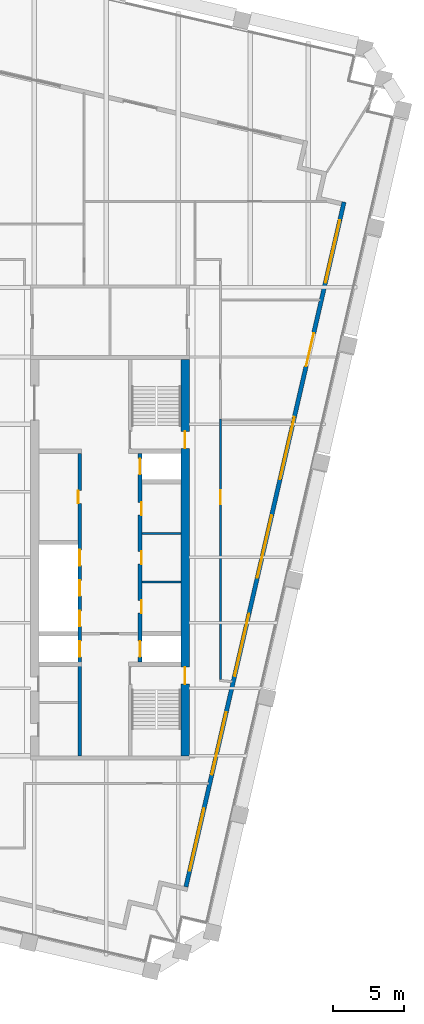
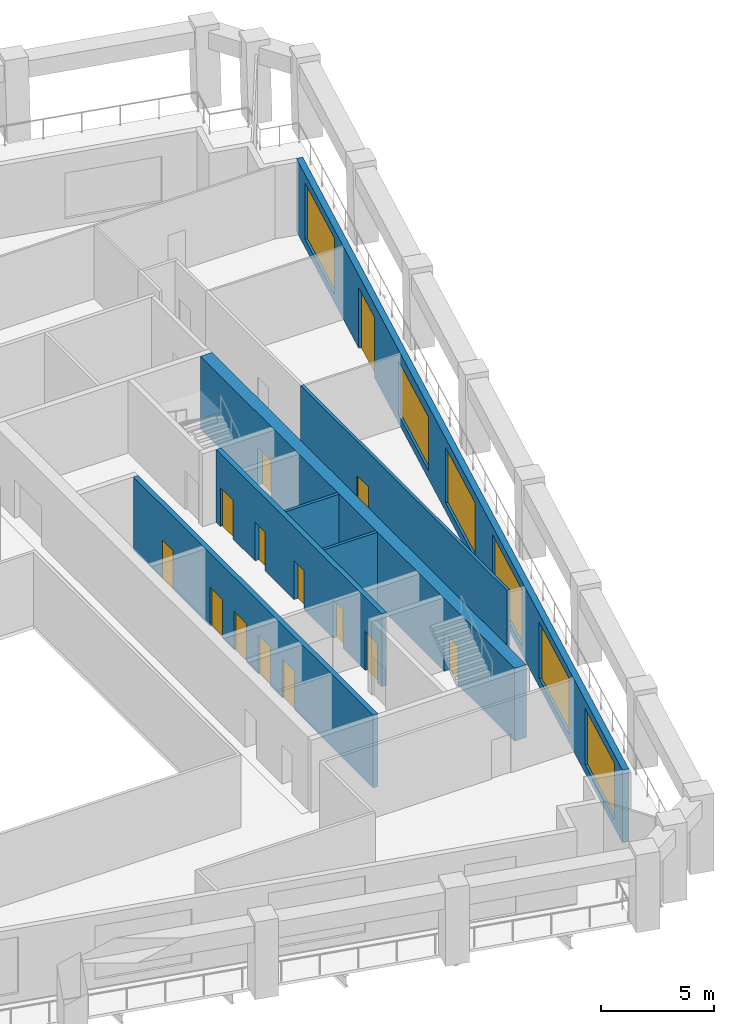
# One storey, part 5 of 10: 14 doors, 7 walls, 6 windows, 20 openings.
"""IFC4 building model written with IfcOpenShell, lengths in metres."""

import ifcopenshell
import ifcopenshell.guid

model = None  # the IFC model being written
_history = None  # IfcOwnerHistory: only IFC2X3 demands one
_inside = {}  # id of a spatial element -> (the spatial element, [elements in it])
_under = {}  # id of a project, library or spatial element -> (it, [spatial elements below it])
_declared = {}  # id of a project -> (the project, [libraries it declares])
_typed = {}  # id of a type object -> (the type object, [elements of that type])
_made_of = {}  # id of a material, layer set ... -> (it, [elements and type objects made of it])


def new_model(schema):
    """Start an empty IFC model of exactly this schema.

    Asked for "IFC4X3", IfcOpenShell would pick the latest addendum, in which some entities
    have other attributes; the version numbers below select the first issue.
    IFC2X3 requires an IfcOwnerHistory on every rooted entity: one is made here for all.
    """
    global model, _history
    if schema == "IFC4X3":
        model = ifcopenshell.file(schema_version=(4, 3, 0, 0))
    else:
        model = ifcopenshell.file(schema=schema)
    _inside.clear()
    _under.clear()
    _declared.clear()
    _typed.clear()
    _made_of.clear()
    _history = None
    if model.schema == "IFC2X3":
        org = make("IfcOrganization", Name="unknown")
        user = make(
            "IfcPersonAndOrganization",
            ThePerson=make("IfcPerson", FamilyName="unknown"),
            TheOrganization=org,
        )
        app = make(
            "IfcApplication",
            ApplicationDeveloper=org,
            Version="unknown",
            ApplicationFullName="unknown",
            ApplicationIdentifier="unknown",
        )
        _history = make(
            "IfcOwnerHistory",
            OwningUser=user,
            OwningApplication=app,
            ChangeAction="ADDED",
            CreationDate=0,
        )
    return model


def make(cls, **values):
    """One entity of the class cls with the attributes given. An attribute that is None is left unset."""
    return model.create_entity(
        cls, **{name: value for name, value in values.items() if value is not None}
    )


def rooted(cls, **values):
    """An entity with a GlobalId (a new one), such as an element, a storey or a relation."""
    return make(cls, GlobalId=ifcopenshell.guid.new(), OwnerHistory=_history, **values)


def si_unit(unit_type, name, prefix=None):
    """IfcSIUnit, for example si_unit("LENGTHUNIT", "METRE", prefix="MILLI")."""
    return make("IfcSIUnit", UnitType=unit_type, Prefix=prefix, Name=name)


def assignment(units):
    """IfcUnitAssignment: the units of a project."""
    return None if units is None else make("IfcUnitAssignment", Units=units)


def point(xyz):
    """IfcCartesianPoint."""
    return None if xyz is None else make("IfcCartesianPoint", Coordinates=xyz)


def direction(xyz):
    """IfcDirection."""
    return None if xyz is None else make("IfcDirection", DirectionRatios=xyz)


def frame(location, z_axis=None, x_axis=None):
    """IfcAxis2Placement3D, a coordinate frame: its origin and axes. An axis left out is left unset."""
    return make(
        "IfcAxis2Placement3D",
        Location=point(location),
        Axis=direction(z_axis),
        RefDirection=direction(x_axis),
    )


def frame_2d(location, x_axis=None):
    """IfcAxis2Placement2D, a coordinate frame in the plane: its origin and x axis."""
    return make(
        "IfcAxis2Placement2D", Location=point(location), RefDirection=direction(x_axis)
    )


def origin():
    """The frame at (0, 0, 0) with its axes left unset."""
    return frame((0.0, 0.0, 0.0))


def place(relative_to, where):
    """IfcLocalPlacement: puts the frame where relative to a parent placement (None: the world)."""
    return make(
        "IfcLocalPlacement", PlacementRelTo=relative_to, RelativePlacement=where
    )


def context(
    kind, dimensions, precision=None, world=None, true_north=None, identifier=None
):
    """IfcGeometricRepresentationContext, for example the 3D "Model" context."""
    return make(
        "IfcGeometricRepresentationContext",
        ContextIdentifier=identifier,
        ContextType=kind,
        CoordinateSpaceDimension=dimensions,
        Precision=precision,
        WorldCoordinateSystem=world,
        TrueNorth=true_north,
    )


def subcontext(parent, identifier, kind, view, scale=None):
    """IfcGeometricRepresentationSubContext, for example "Body" below "Model"."""
    return make(
        "IfcGeometricRepresentationSubContext",
        ContextIdentifier=identifier,
        ContextType=kind,
        ParentContext=parent,
        TargetScale=scale,
        TargetView=view,
    )


def project(units=None, contexts=None):
    """IfcProject with its units and contexts."""
    return rooted(
        "IfcProject",
        Name="project",
        RepresentationContexts=contexts,
        UnitsInContext=assignment(units),
    )


def spatial(cls, under=None, at=None, **own):
    """A site, building, storey or space (cls), placed at a placement, below another one or the project."""
    s = rooted(cls, ObjectPlacement=at, **own)
    if under is not None:
        _under.setdefault(under.id(), (under, []))[1].append(s)
    return s


def profile(cls, at=None, kind="AREA", **sizes):
    """A parametric profile (cls). Its sizes go by their IFC names, for example OverallWidth=200.0."""
    return make(cls, ProfileType=kind, Position=at, **sizes)


def rectangle(**sizes):
    """IfcRectangleProfileDef."""
    return profile("IfcRectangleProfileDef", **sizes)


def extrude(swept, where, along, depth):
    """IfcExtrudedAreaSolid: the profile swept, set in the frame where, extruded along a direction by depth."""
    return make(
        "IfcExtrudedAreaSolid",
        SweptArea=swept,
        Position=where,
        ExtrudedDirection=direction(along),
        Depth=depth,
    )


def shape(context_of_items, identifier, shape_type, items):
    """IfcShapeRepresentation: the items that make up one representation, for example the "Body"."""
    return make(
        "IfcShapeRepresentation",
        ContextOfItems=context_of_items,
        RepresentationIdentifier=identifier,
        RepresentationType=shape_type,
        Items=items,
    )


def material(Name=None, Category=None):
    """IfcMaterial."""
    return make("IfcMaterial", Name=Name, Category=Category)


def layer(
    of_material, thickness, ventilated=None, Name=None, Category=None, Priority=None
):
    """IfcMaterialLayer: one layer of a wall or slab, of a material (None: an air gap)."""
    return make(
        "IfcMaterialLayer",
        Material=of_material,
        LayerThickness=thickness,
        IsVentilated=ventilated,
        Name=Name,
        Category=Category,
        Priority=Priority,
    )


def layer_set(layers, Name=None):
    """IfcMaterialLayerSet."""
    return make("IfcMaterialLayerSet", MaterialLayers=layers, LayerSetName=Name)


def made_of(thing, what):
    """Note that an element or type object is made of a material, layer set ...; save() writes the relation."""
    if what is not None:
        _made_of.setdefault(what.id(), (what, []))[1].append(thing)
    return thing


def type_object(cls, material=None, **own):
    """A type object (cls), such as IfcWallType, which elements share."""
    return made_of(rooted(cls, **own), material)


def element(
    cls,
    number,
    at=None,
    inside=None,
    cuts=None,
    type_object=None,
    material=None,
    context=None,
    identifier="Body",
    shape_type=None,
    held_by="IfcProductDefinitionShape",
    body=None,
    shapes=None,
    **own,
):
    """One element of the class cls, such as IfcWall. Its Tag is "e" and its number.

    at: its placement. inside: the storey or other place that contains it. cuts: it is an
    opening in that element (IfcRelVoidsElement). A single representation is given by context,
    identifier, shape_type and body (its items); several are given by shapes. held_by: the class
    of the entity that holds the representations. save() writes the other relations.
    """
    e = rooted(cls, Tag="e%d" % number, ObjectPlacement=at, **own)
    if body is not None:
        shapes = [shape(context, identifier, shape_type, body)]
    if shapes is not None:
        e.Representation = make(held_by, Representations=shapes)
    if inside is not None:
        _inside.setdefault(inside.id(), (inside, []))[1].append(e)
    if cuts is not None:
        rooted(
            "IfcRelVoidsElement", RelatingBuildingElement=cuts, RelatedOpeningElement=e
        )
    if type_object is not None:
        _typed.setdefault(type_object.id(), (type_object, []))[1].append(e)
    return made_of(e, material)


def fill(opening, filler):
    """IfcRelFillsElement: the door or window that sits in an opening."""
    return rooted(
        "IfcRelFillsElement",
        RelatingOpeningElement=opening,
        RelatedBuildingElement=filler,
    )


def aggregate(whole, parts):
    """IfcRelAggregates: a whole, such as a stair, and the parts it consists of."""
    return rooted("IfcRelAggregates", RelatingObject=whole, RelatedObjects=parts)


def save(model, path):
    """Write the relations noted so far, then the file.

    IfcRelAggregates (storeys below a building ...), IfcRelContainedInSpatialStructure (elements
    in a storey), IfcRelDefinesByType, IfcRelAssociatesMaterial and IfcRelDeclares: one each for
    every whole, place, type object, material and project.
    """
    for whole, parts in _under.values():
        aggregate(whole, parts)
    for where, things in _inside.values():
        rooted(
            "IfcRelContainedInSpatialStructure",
            RelatedElements=things,
            RelatingStructure=where,
        )
    for kind, things in _typed.values():
        rooted("IfcRelDefinesByType", RelatedObjects=things, RelatingType=kind)
    for what, things in _made_of.values():
        rooted("IfcRelAssociatesMaterial", RelatedObjects=things, RelatingMaterial=what)
    for by, libraries in _declared.values():
        rooted("IfcRelDeclares", RelatingContext=by, RelatedDefinitions=libraries)
    model.write(path)


model = new_model("IFC4")

# Units and contexts
model_context = context("Model", 3, precision=1e-05, world=origin(), true_north=direction((0.0, 1.0)))
body_context = subcontext(model_context, "Body", "Model", "MODEL_VIEW")
ifc_project = project(units=[si_unit("LENGTHUNIT", "METRE"), si_unit("AREAUNIT", "SQUARE_METRE"), si_unit("VOLUMEUNIT", "CUBIC_METRE"), si_unit("PLANEANGLEUNIT", "RADIAN"), si_unit("MASSUNIT", "GRAM", prefix="KILO")], contexts=[model_context])

# Site, building, storey
site_placement = place(None, origin())
site = spatial("IfcSite", under=ifc_project, at=site_placement, CompositionType="ELEMENT")
building_placement = place(site_placement, origin())
building = spatial("IfcBuilding", under=site, at=building_placement, Name="Ogive Exchange Tower", CompositionType="ELEMENT")
storey_placement = place(building_placement, frame((0.0, 0.0, 289.199951171875)))
storey = spatial("IfcBuildingStorey", under=building, at=storey_placement, Name="L63", CompositionType="ELEMENT", Elevation=289.199951171875)

# Walls
ifc_material_1 = material(Name="Gypsum board partition")
ifc_layer_1 = layer(ifc_material_1, 0.14990234375)
ifc_layer_set_1 = layer_set([ifc_layer_1], Name="Core room partition 150 gypsum")
wall_type_1 = type_object("IfcWallType", Name="Core room partition 150 gypsum", PredefinedType="PARTITIONING", material=ifc_layer_set_1)
for number, where, z_axis, x_axis, name in (
    (1, (18.25, 9.800048828125, 0.0), (0.0, 0.0, 1.0), (1.0, 0.0, 0.0), "E row A bay partition 1-1"),
    (2, (18.25, 13.199951171875, 0.0), (0.0, 0.0, 1.0), (1.0, 0.0, 0.0), "E row A bay partition 1-2"),
):
    element("IfcWall", number, at=place(storey_placement, frame(where, z_axis=z_axis, x_axis=x_axis)), inside=storey, type_object=wall_type_1, Name=name, PredefinedType="PARTITIONING", context=body_context, shape_type="SweptSolid", body=[
        extrude(rectangle(XDim=2.75, YDim=0.14990234375, at=frame_2d((1.375, 0.0))), origin(), (0.0, 0.0, 1.0), 3.949951171875),
    ])

# Wall, opening, door
ifc_material_2 = material(Name="Fire partition EI 60 150")
ifc_layer_2 = layer(ifc_material_2, 0.14990234375)
ifc_layer_set_2 = layer_set([ifc_layer_2], Name="Fire partition EI 60 150")
wall_type_2 = type_object("IfcWallType", Name="Fire partition EI 60 150", PredefinedType="PARTITIONING", material=ifc_layer_set_2)
wall_1_placement = place(storey_placement, frame((23.800048828125, 21.260009765625, 0.0), z_axis=(0.0, 0.0, 1.0), x_axis=(0.0, -1.0, 0.0)))
wall_1 = element("IfcWall", 3, at=wall_1_placement, inside=storey, type_object=wall_type_2, Name="L63-PWL-047", PredefinedType="PARTITIONING", context=body_context, shape_type="SweptSolid", body=[
    extrude(rectangle(XDim=18.324951171875, YDim=0.14990234375, at=frame_2d((9.16259765625, 0.0))), origin(), (0.0, 0.0, 1.0), 3.949951171875),
])
opening_1_placement = place(wall_1_placement, frame((5.0, 0.0, 0.0)))
opening_1 = element("IfcOpeningElement", 4, at=opening_1_placement, cuts=wall_1, Name="Opening L63-I02", PredefinedType="OPENING", context=body_context, shape_type="SweptSolid", body=[
    extrude(rectangle(XDim=1.0, YDim=2.10009765625, at=frame_2d((0.5, 1.050048828125))), frame((0.0, 0.0849609375, 0.0), z_axis=(0.0, -1.0, 0.0), x_axis=(1.0, 0.0, 0.0)), (0.0, 0.0, 1.0), 0.169921875),
])
ifc_material_3 = material(Name="Fire door FD 30S 1000 x 2100")
door_type_1 = type_object("IfcDoorType", Name="Fire door FD 30S 1000 x 2100", OperationType="NOTDEFINED", PredefinedType="DOOR", material=ifc_material_3)
door_1_placement = place(opening_1_placement, origin())
door_1 = element("IfcDoor", 5, at=door_1_placement, inside=storey, type_object=door_type_1, Name="L63-IDR-002", ObjectType="DT3", OperationType="SINGLE_SWING_RIGHT", OverallHeight=2.10009765625, OverallWidth=1.0, PredefinedType="DOOR", context=body_context, shape_type="SweptSolid", body=[
    extrude(rectangle(XDim=1.0, YDim=2.10009765625, at=frame_2d((0.5, 1.050048828125))), frame((0.0, 0.02490234375, 0.0), z_axis=(0.0, -1.0, 0.0), x_axis=(1.0, 0.0, 0.0)), (0.0, 0.0, 1.0), 0.050048828125),
])
fill(opening_1, door_1)

# Wall, openings, door, windows
ifc_material_4 = material(Name="Precast concrete C40/50", Category="concrete")
ifc_layer_3 = layer(ifc_material_4, 0.300048828125)
ifc_layer_set_3 = layer_set([ifc_layer_3], Name="Limestone-faced wall 300")
wall_type_3 = type_object("IfcWallType", Name="Limestone-faced wall 300", PredefinedType="STANDARD", material=ifc_layer_set_3)
wall_2_placement = place(storey_placement, frame((21.35888671875, -11.67822265625, 0.0), z_axis=(0.0, 0.0, 1.0), x_axis=(0.224949198343, 0.974370493275, 0.0)))
wall_2 = element("IfcWall", 6, at=wall_2_placement, inside=storey, type_object=wall_type_3, Name="External wall E2", PredefinedType="STANDARD", context=body_context, shape_type="SweptSolid", body=[
    extrude(rectangle(XDim=49.5, YDim=0.300048828125, at=frame_2d((24.75, 0.0))), origin(), (0.0, 0.0, 1.0), 3.949951171875),
])
opening_2_placement = place(wall_2_placement, frame((1.156982421875, 0.0, 0.449951171875)))
opening_2 = element("IfcOpeningElement", 7, at=opening_2_placement, cuts=wall_2, Name="Opening W1", PredefinedType="OPENING", context=body_context, shape_type="SweptSolid", body=[
    extrude(rectangle(XDim=4.5, YDim=3.050048828125, at=frame_2d((2.25, 1.52490234375))), frame((0.0, 0.159912109375, 0.0), z_axis=(0.0, -1.0, 0.0), x_axis=(1.0, 0.0, 0.0)), (0.0, 0.0, 1.0), 0.320068359375),
])
opening_3_placement = place(wall_2_placement, frame((8.121337890625, 0.0, 0.449951171875)))
opening_3 = element("IfcOpeningElement", 8, at=opening_3_placement, cuts=wall_2, Name="Opening W1", PredefinedType="OPENING", context=body_context, shape_type="SweptSolid", body=[
    extrude(rectangle(XDim=4.5, YDim=3.050048828125, at=frame_2d((2.25, 1.52490234375))), frame((0.0, 0.159912109375, 0.0), z_axis=(0.0, -1.0, 0.0), x_axis=(1.0, 0.0, 0.0)), (0.0, 0.0, 1.0), 0.320068359375),
])
opening_4_placement = place(wall_2_placement, frame((15.235595703125, 0.0, 0.449951171875)))
opening_4 = element("IfcOpeningElement", 9, at=opening_4_placement, cuts=wall_2, Name="Opening W1", PredefinedType="OPENING", context=body_context, shape_type="SweptSolid", body=[
    extrude(rectangle(XDim=4.5, YDim=3.050048828125, at=frame_2d((2.25, 1.52490234375))), frame((0.0, 0.159912109375, 0.0), z_axis=(0.0, -1.0, 0.0), x_axis=(1.0, 0.0, 0.0)), (0.0, 0.0, 1.0), 0.320068359375),
])
opening_5_placement = place(wall_2_placement, frame((22.35009765625, 0.0, 0.449951171875)))
opening_5 = element("IfcOpeningElement", 10, at=opening_5_placement, cuts=wall_2, Name="Opening W1A", PredefinedType="OPENING", context=body_context, shape_type="SweptSolid", body=[
    extrude(rectangle(XDim=4.5, YDim=3.0, at=frame_2d((2.25, 1.5))), frame((0.0, 0.159912109375, 0.0), z_axis=(0.0, -1.0, 0.0), x_axis=(1.0, 0.0, 0.0)), (0.0, 0.0, 1.0), 0.320068359375),
])
opening_6_placement = place(wall_2_placement, frame((29.464111328125, 0.0, 0.449951171875)))
opening_6 = element("IfcOpeningElement", 11, at=opening_6_placement, cuts=wall_2, Name="Opening W1C", PredefinedType="OPENING", context=body_context, shape_type="SweptSolid", body=[
    extrude(rectangle(XDim=4.5, YDim=2.89990234375, at=frame_2d((2.25, 1.449951171875))), frame((0.0, 0.159912109375, 0.0), z_axis=(0.0, -1.0, 0.0), x_axis=(1.0, 0.0, 0.0)), (0.0, 0.0, 1.0), 0.320068359375),
])
opening_7_placement = place(wall_2_placement, frame((37.62841796875, 0.0, 0.0)))
opening_7 = element("IfcOpeningElement", 12, at=opening_7_placement, cuts=wall_2, Name="Opening D1E", PredefinedType="OPENING", context=body_context, shape_type="SweptSolid", body=[
    extrude(rectangle(XDim=2.39990234375, YDim=3.27490234375, at=frame_2d((1.199951171875, 1.637451171875))), frame((0.0, 0.159912109375, 0.0), z_axis=(0.0, -1.0, 0.0), x_axis=(1.0, 0.0, 0.0)), (0.0, 0.0, 1.0), 0.320068359375),
])
opening_8_placement = place(wall_2_placement, frame((43.69287109375, 0.0, 0.449951171875)))
opening_8 = element("IfcOpeningElement", 13, at=opening_8_placement, cuts=wall_2, Name="Opening W1", PredefinedType="OPENING", context=body_context, shape_type="SweptSolid", body=[
    extrude(rectangle(XDim=4.5, YDim=3.050048828125, at=frame_2d((2.25, 1.52490234375))), frame((0.0, 0.159912109375, 0.0), z_axis=(0.0, -1.0, 0.0), x_axis=(1.0, 0.0, 0.0)), (0.0, 0.0, 1.0), 0.320068359375),
])
ifc_material_5 = material(Name="Clear glass in bronze frame", Category="glass")
door_type_2 = type_object("IfcDoorType", Name="Sliding loggia door 2400 x 3275", OperationType="DOUBLE_DOOR_SLIDING", PredefinedType="DOOR", material=ifc_material_5)
door_2_placement = place(opening_7_placement, origin())
door_2 = element("IfcDoor", 14, at=door_2_placement, inside=storey, type_object=door_type_2, Name="Loggia door E05", OperationType="DOUBLE_DOOR_SLIDING", OverallHeight=3.27490234375, OverallWidth=2.39990234375, PredefinedType="DOOR", context=body_context, shape_type="SweptSolid", body=[
    extrude(rectangle(XDim=2.39990234375, YDim=3.27490234375, at=frame_2d((1.199951171875, 1.637451171875))), frame((0.0, 0.02490234375, 0.0), z_axis=(0.0, -1.0, 0.0), x_axis=(1.0, 0.0, 0.0)), (0.0, 0.0, 1.0), 0.050048828125),
])
fill(opening_7, door_2)
window_type_1 = type_object("IfcWindowType", Name="Twin lancet window 4500 x 2900", PartitioningType="DOUBLE_PANEL_VERTICAL", PredefinedType="WINDOW", material=ifc_material_5)
window_1_placement = place(opening_6_placement, origin())
window_1 = element("IfcWindow", 15, at=window_1_placement, inside=storey, type_object=window_type_1, Name="Window E04", OverallHeight=2.89990234375, OverallWidth=4.5, PartitioningType="DOUBLE_PANEL_VERTICAL", PredefinedType="WINDOW", context=body_context, shape_type="SweptSolid", body=[
    extrude(rectangle(XDim=4.5, YDim=2.89990234375, at=frame_2d((2.25, 1.449951171875))), frame((0.0, 0.030029296875, 0.0), z_axis=(0.0, -1.0, 0.0), x_axis=(1.0, 0.0, 0.0)), (0.0, 0.0, 1.0), 0.06005859375),
])
fill(opening_6, window_1)
window_type_2 = type_object("IfcWindowType", Name="Twin lancet window 4500 x 3000", PartitioningType="DOUBLE_PANEL_VERTICAL", PredefinedType="WINDOW", material=ifc_material_5)
window_2_placement = place(opening_5_placement, origin())
window_2 = element("IfcWindow", 16, at=window_2_placement, inside=storey, type_object=window_type_2, Name="Window E03", OverallHeight=3.0, OverallWidth=4.5, PartitioningType="DOUBLE_PANEL_VERTICAL", PredefinedType="WINDOW", context=body_context, shape_type="SweptSolid", body=[
    extrude(rectangle(XDim=4.5, YDim=3.0, at=frame_2d((2.25, 1.5))), frame((0.0, 0.030029296875, 0.0), z_axis=(0.0, -1.0, 0.0), x_axis=(1.0, 0.0, 0.0)), (0.0, 0.0, 1.0), 0.06005859375),
])
fill(opening_5, window_2)
window_type_3 = type_object("IfcWindowType", Name="Twin lancet window 4500 x 3050", PartitioningType="DOUBLE_PANEL_VERTICAL", PredefinedType="WINDOW", material=ifc_material_5)
window_3_placement = place(opening_2_placement, origin())
window_3 = element("IfcWindow", 17, at=window_3_placement, inside=storey, type_object=window_type_3, Name="Window E00", OverallHeight=3.050048828125, OverallWidth=4.5, PartitioningType="DOUBLE_PANEL_VERTICAL", PredefinedType="WINDOW", context=body_context, shape_type="SweptSolid", body=[
    extrude(rectangle(XDim=4.5, YDim=3.050048828125, at=frame_2d((2.25, 1.52490234375))), frame((0.0, 0.030029296875, 0.0), z_axis=(0.0, -1.0, 0.0), x_axis=(1.0, 0.0, 0.0)), (0.0, 0.0, 1.0), 0.06005859375),
])
fill(opening_2, window_3)
window_4_placement = place(opening_3_placement, origin())
window_4 = element("IfcWindow", 18, at=window_4_placement, inside=storey, type_object=window_type_3, Name="Window E01", OverallHeight=3.050048828125, OverallWidth=4.5, PartitioningType="DOUBLE_PANEL_VERTICAL", PredefinedType="WINDOW", context=body_context, shape_type="SweptSolid", body=[
    extrude(rectangle(XDim=4.5, YDim=3.050048828125, at=frame_2d((2.25, 1.52490234375))), frame((0.0, 0.030029296875, 0.0), z_axis=(0.0, -1.0, 0.0), x_axis=(1.0, 0.0, 0.0)), (0.0, 0.0, 1.0), 0.06005859375),
])
fill(opening_3, window_4)
window_5_placement = place(opening_4_placement, origin())
window_5 = element("IfcWindow", 19, at=window_5_placement, inside=storey, type_object=window_type_3, Name="Window E02", OverallHeight=3.050048828125, OverallWidth=4.5, PartitioningType="DOUBLE_PANEL_VERTICAL", PredefinedType="WINDOW", context=body_context, shape_type="SweptSolid", body=[
    extrude(rectangle(XDim=4.5, YDim=3.050048828125, at=frame_2d((2.25, 1.52490234375))), frame((0.0, 0.030029296875, 0.0), z_axis=(0.0, -1.0, 0.0), x_axis=(1.0, 0.0, 0.0)), (0.0, 0.0, 1.0), 0.06005859375),
])
fill(opening_4, window_5)
window_6_placement = place(opening_8_placement, origin())
window_6 = element("IfcWindow", 20, at=window_6_placement, inside=storey, type_object=window_type_3, Name="Window E06", OverallHeight=3.050048828125, OverallWidth=4.5, PartitioningType="DOUBLE_PANEL_VERTICAL", PredefinedType="WINDOW", context=body_context, shape_type="SweptSolid", body=[
    extrude(rectangle(XDim=4.5, YDim=3.050048828125, at=frame_2d((2.25, 1.52490234375))), frame((0.0, 0.030029296875, 0.0), z_axis=(0.0, -1.0, 0.0), x_axis=(1.0, 0.0, 0.0)), (0.0, 0.0, 1.0), 0.06005859375),
])
fill(opening_8, window_6)

# Wall, openings, doors
ifc_material_6 = material(Name="Concrete C70/85", Category="concrete")
ifc_layer_4 = layer(ifc_material_6, 0.25)
ifc_layer_set_4 = layer_set([ifc_layer_4], Name="RC core wall 250 C70/85")
wall_type_4 = type_object("IfcWallType", Name="RC core wall 250 C70/85", PredefinedType="SHEAR", material=ifc_layer_set_4)
wall_3_placement = place(storey_placement, frame((18.125, 4.14990234375, 0.0), z_axis=(0.0, 0.0, 1.0), x_axis=(0.0, 1.0, 0.0)))
wall_3 = element("IfcWall", 21, at=wall_3_placement, inside=storey, type_object=wall_type_4, Name="E row A front wall", PredefinedType="SHEAR", context=body_context, shape_type="SweptSolid", body=[
    extrude(rectangle(XDim=14.7001953125, YDim=0.25, at=frame_2d((7.35009765625, 0.0))), origin(), (0.0, 0.0, 1.0), 3.949951171875),
])
opening_9_placement = place(wall_3_placement, frame((3.4462890625, 0.0, 0.0)))
opening_9 = element("IfcOpeningElement", 22, at=opening_9_placement, cuts=wall_3, Name="Opening L63-C19", PredefinedType="OPENING", context=body_context, shape_type="SweptSolid", body=[
    extrude(rectangle(XDim=0.89990234375, YDim=2.10009765625, at=frame_2d((0.449951171875, 1.050048828125))), frame((0.0, 0.135009765625, 0.0), z_axis=(0.0, -1.0, 0.0), x_axis=(1.0, 0.0, 0.0)), (0.0, 0.0, 1.0), 0.27001953125),
])
opening_10_placement = place(wall_3_placement, frame((6.89990234375, 0.0, 0.0)))
opening_10 = element("IfcOpeningElement", 23, at=opening_10_placement, cuts=wall_3, Name="Opening L63-C20", PredefinedType="OPENING", context=body_context, shape_type="SweptSolid", body=[
    extrude(rectangle(XDim=0.89990234375, YDim=2.10009765625, at=frame_2d((0.449951171875, 1.050048828125))), frame((0.0, 0.135009765625, 0.0), z_axis=(0.0, -1.0, 0.0), x_axis=(1.0, 0.0, 0.0)), (0.0, 0.0, 1.0), 0.27001953125),
])
opening_11_placement = place(wall_3_placement, frame((10.353515625, 0.0, 0.0)))
opening_11 = element("IfcOpeningElement", 24, at=opening_11_placement, cuts=wall_3, Name="Opening L63-C21", PredefinedType="OPENING", context=body_context, shape_type="SweptSolid", body=[
    extrude(rectangle(XDim=0.89990234375, YDim=2.10009765625, at=frame_2d((0.449951171875, 1.050048828125))), frame((0.0, 0.135009765625, 0.0), z_axis=(0.0, -1.0, 0.0), x_axis=(1.0, 0.0, 0.0)), (0.0, 0.0, 1.0), 0.27001953125),
])
opening_12_placement = place(wall_3_placement, frame((0.371337890625, 0.0, 0.0)))
opening_12 = element("IfcOpeningElement", 25, at=opening_12_placement, cuts=wall_3, Name="Opening L63-C22", PredefinedType="OPENING", context=body_context, shape_type="SweptSolid", body=[
    extrude(rectangle(XDim=1.10009765625, YDim=2.10009765625, at=frame_2d((0.550048828125, 1.050048828125))), frame((0.0, 0.135009765625, 0.0), z_axis=(0.0, -1.0, 0.0), x_axis=(1.0, 0.0, 0.0)), (0.0, 0.0, 1.0), 0.27001953125),
])
opening_13_placement = place(wall_3_placement, frame((13.228515625, 0.0, 0.0)))
opening_13 = element("IfcOpeningElement", 26, at=opening_13_placement, cuts=wall_3, Name="Opening L63-C23", PredefinedType="OPENING", context=body_context, shape_type="SweptSolid", body=[
    extrude(rectangle(XDim=1.10009765625, YDim=2.10009765625, at=frame_2d((0.550048828125, 1.050048828125))), frame((0.0, 0.135009765625, 0.0), z_axis=(0.0, -1.0, 0.0), x_axis=(1.0, 0.0, 0.0)), (0.0, 0.0, 1.0), 0.27001953125),
])
ifc_material_7 = material(Name="Stainless steel", Category="steel")
door_type_3 = type_object("IfcDoorType", Name="Lift landing door FD90 1100 x 2100", OperationType="SLIDING_TO_LEFT", PredefinedType="DOOR", material=ifc_material_7)
door_3_placement = place(opening_12_placement, origin())
door_3 = element("IfcDoor", 27, at=door_3_placement, inside=storey, type_object=door_type_3, Name="Lift landing door FF2", ObjectType="LD", OperationType="SLIDING_TO_LEFT", OverallHeight=2.10009765625, OverallWidth=1.10009765625, PredefinedType="DOOR", context=body_context, shape_type="SweptSolid", body=[
    extrude(rectangle(XDim=1.10009765625, YDim=2.10009765625, at=frame_2d((0.550048828125, 1.050048828125))), frame((0.0, 0.02490234375, 0.0), z_axis=(0.0, -1.0, 0.0), x_axis=(1.0, 0.0, 0.0)), (0.0, 0.0, 1.0), 0.050048828125),
])
fill(opening_12, door_3)
door_4_placement = place(opening_13_placement, origin())
door_4 = element("IfcDoor", 28, at=door_4_placement, inside=storey, type_object=door_type_3, Name="Lift landing door E-SH2", ObjectType="LD", OperationType="SLIDING_TO_LEFT", OverallHeight=2.10009765625, OverallWidth=1.10009765625, PredefinedType="DOOR", context=body_context, shape_type="SweptSolid", body=[
    extrude(rectangle(XDim=1.10009765625, YDim=2.10009765625, at=frame_2d((0.550048828125, 1.050048828125))), frame((0.0, 0.02490234375, 0.0), z_axis=(0.0, -1.0, 0.0), x_axis=(1.0, 0.0, 0.0)), (0.0, 0.0, 1.0), 0.050048828125),
])
fill(opening_13, door_4)
ifc_material_8 = material(Name="Steel fire door", Category="steel")
door_type_4 = type_object("IfcDoorType", Name="Riser door FD60 900 x 2100", OperationType="NOTDEFINED", PredefinedType="DOOR", material=ifc_material_8)
door_5_placement = place(opening_9_placement, frame((0.89990234375, -0.2001953125, 0.0), z_axis=(0.0, 0.0, 1.0), x_axis=(-1.0, 0.0, 0.0)))
door_5 = element("IfcDoor", 29, at=door_5_placement, inside=storey, type_object=door_type_4, Name="Riser door", ObjectType="CD2", OperationType="SINGLE_SWING_RIGHT", OverallHeight=2.10009765625, OverallWidth=0.89990234375, PredefinedType="DOOR", context=body_context, shape_type="SweptSolid", body=[
    extrude(rectangle(XDim=0.89990234375, YDim=2.10009765625, at=frame_2d((0.449951171875, 1.050048828125))), frame((0.0, -0.0751953125, 0.0), z_axis=(0.0, -1.0, 0.0), x_axis=(1.0, 0.0, 0.0)), (0.0, 0.0, 1.0), 0.050048828125),
])
fill(opening_9, door_5)
door_6_placement = place(opening_10_placement, frame((0.89990234375, -0.2001953125, 0.0), z_axis=(0.0, 0.0, 1.0), x_axis=(-1.0, 0.0, 0.0)))
door_6 = element("IfcDoor", 30, at=door_6_placement, inside=storey, type_object=door_type_4, Name="Riser door", ObjectType="CD2", OperationType="SINGLE_SWING_LEFT", OverallHeight=2.10009765625, OverallWidth=0.89990234375, PredefinedType="DOOR", context=body_context, shape_type="SweptSolid", body=[
    extrude(rectangle(XDim=0.89990234375, YDim=2.10009765625, at=frame_2d((0.449951171875, 1.050048828125))), frame((0.0, -0.0751953125, 0.0), z_axis=(0.0, -1.0, 0.0), x_axis=(1.0, 0.0, 0.0)), (0.0, 0.0, 1.0), 0.050048828125),
])
fill(opening_10, door_6)
door_7_placement = place(opening_11_placement, frame((0.89990234375, -0.2001953125, 0.0), z_axis=(0.0, 0.0, 1.0), x_axis=(-1.0, 0.0, 0.0)))
door_7 = element("IfcDoor", 31, at=door_7_placement, inside=storey, type_object=door_type_4, Name="Riser door", ObjectType="CD2", OperationType="SINGLE_SWING_LEFT", OverallHeight=2.10009765625, OverallWidth=0.89990234375, PredefinedType="DOOR", context=body_context, shape_type="SweptSolid", body=[
    extrude(rectangle(XDim=0.89990234375, YDim=2.10009765625, at=frame_2d((0.449951171875, 1.050048828125))), frame((0.0, -0.0751953125, 0.0), z_axis=(0.0, -1.0, 0.0), x_axis=(1.0, 0.0, 0.0)), (0.0, 0.0, 1.0), 0.050048828125),
])
fill(opening_11, door_7)

wall_4_placement = place(storey_placement, frame((13.875, -2.449951171875, 0.0), z_axis=(0.0, 0.0, 1.0), x_axis=(0.0, 1.0, 0.0)))
wall_4 = element("IfcWall", 32, at=wall_4_placement, inside=storey, type_object=wall_type_4, Name="E row B front wall", PredefinedType="SHEAR", context=body_context, shape_type="SweptSolid", body=[
    extrude(rectangle(XDim=21.300048828125, YDim=0.25, at=frame_2d((10.64990234375, 0.0))), origin(), (0.0, 0.0, 1.0), 3.949951171875),
])
opening_14_placement = place(wall_4_placement, frame((17.78564453125, 0.0, 0.0)))
opening_14 = element("IfcOpeningElement", 33, at=opening_14_placement, cuts=wall_4, Name="Opening L63-C24", PredefinedType="OPENING", context=body_context, shape_type="SweptSolid", body=[
    extrude(rectangle(XDim=0.89990234375, YDim=2.10009765625, at=frame_2d((0.449951171875, 1.050048828125))), frame((0.0, 0.135009765625, 0.0), z_axis=(0.0, -1.0, 0.0), x_axis=(1.0, 0.0, 0.0)), (0.0, 0.0, 1.0), 0.27001953125),
])
opening_15_placement = place(wall_4_placement, frame((6.971435546875, 0.0, 0.0)))
opening_15 = element("IfcOpeningElement", 34, at=opening_15_placement, cuts=wall_4, Name="Opening L63-C25", PredefinedType="OPENING", context=body_context, shape_type="SweptSolid", body=[
    extrude(rectangle(XDim=1.10009765625, YDim=2.10009765625, at=frame_2d((0.550048828125, 1.050048828125))), frame((0.0, 0.135009765625, 0.0), z_axis=(0.0, -1.0, 0.0), x_axis=(1.0, 0.0, 0.0)), (0.0, 0.0, 1.0), 0.27001953125),
])
opening_16_placement = place(wall_4_placement, frame((9.1142578125, 0.0, 0.0)))
opening_16 = element("IfcOpeningElement", 35, at=opening_16_placement, cuts=wall_4, Name="Opening L63-C26", PredefinedType="OPENING", context=body_context, shape_type="SweptSolid", body=[
    extrude(rectangle(XDim=1.10009765625, YDim=2.10009765625, at=frame_2d((0.550048828125, 1.050048828125))), frame((0.0, 0.135009765625, 0.0), z_axis=(0.0, -1.0, 0.0), x_axis=(1.0, 0.0, 0.0)), (0.0, 0.0, 1.0), 0.27001953125),
])
opening_17_placement = place(wall_4_placement, frame((11.257080078125, 0.0, 0.0)))
opening_17 = element("IfcOpeningElement", 36, at=opening_17_placement, cuts=wall_4, Name="Opening L63-C27", PredefinedType="OPENING", context=body_context, shape_type="SweptSolid", body=[
    extrude(rectangle(XDim=1.10009765625, YDim=2.10009765625, at=frame_2d((0.550048828125, 1.050048828125))), frame((0.0, 0.135009765625, 0.0), z_axis=(0.0, -1.0, 0.0), x_axis=(1.0, 0.0, 0.0)), (0.0, 0.0, 1.0), 0.27001953125),
])
opening_18_placement = place(wall_4_placement, frame((13.39990234375, 0.0, 0.0)))
opening_18 = element("IfcOpeningElement", 37, at=opening_18_placement, cuts=wall_4, Name="Opening L63-C28", PredefinedType="OPENING", context=body_context, shape_type="SweptSolid", body=[
    extrude(rectangle(XDim=1.10009765625, YDim=2.10009765625, at=frame_2d((0.550048828125, 1.050048828125))), frame((0.0, 0.135009765625, 0.0), z_axis=(0.0, -1.0, 0.0), x_axis=(1.0, 0.0, 0.0)), (0.0, 0.0, 1.0), 0.27001953125),
])
door_8_placement = place(opening_15_placement, origin())
door_8 = element("IfcDoor", 38, at=door_8_placement, inside=storey, type_object=door_type_3, Name="Lift landing door SV2", ObjectType="LD", OperationType="SLIDING_TO_LEFT", OverallHeight=2.10009765625, OverallWidth=1.10009765625, PredefinedType="DOOR", context=body_context, shape_type="SweptSolid", body=[
    extrude(rectangle(XDim=1.10009765625, YDim=2.10009765625, at=frame_2d((0.550048828125, 1.050048828125))), frame((0.0, 0.02490234375, 0.0), z_axis=(0.0, -1.0, 0.0), x_axis=(1.0, 0.0, 0.0)), (0.0, 0.0, 1.0), 0.050048828125),
])
fill(opening_15, door_8)
door_9_placement = place(opening_16_placement, origin())
door_9 = element("IfcDoor", 39, at=door_9_placement, inside=storey, type_object=door_type_3, Name="Lift landing door E-M1", ObjectType="LD", OperationType="SLIDING_TO_LEFT", OverallHeight=2.10009765625, OverallWidth=1.10009765625, PredefinedType="DOOR", context=body_context, shape_type="SweptSolid", body=[
    extrude(rectangle(XDim=1.10009765625, YDim=2.10009765625, at=frame_2d((0.550048828125, 1.050048828125))), frame((0.0, 0.02490234375, 0.0), z_axis=(0.0, -1.0, 0.0), x_axis=(1.0, 0.0, 0.0)), (0.0, 0.0, 1.0), 0.050048828125),
])
fill(opening_16, door_9)
door_10_placement = place(opening_17_placement, origin())
door_10 = element("IfcDoor", 40, at=door_10_placement, inside=storey, type_object=door_type_3, Name="Lift landing door E-M2", ObjectType="LD", OperationType="SLIDING_TO_LEFT", OverallHeight=2.10009765625, OverallWidth=1.10009765625, PredefinedType="DOOR", context=body_context, shape_type="SweptSolid", body=[
    extrude(rectangle(XDim=1.10009765625, YDim=2.10009765625, at=frame_2d((0.550048828125, 1.050048828125))), frame((0.0, 0.02490234375, 0.0), z_axis=(0.0, -1.0, 0.0), x_axis=(1.0, 0.0, 0.0)), (0.0, 0.0, 1.0), 0.050048828125),
])
fill(opening_17, door_10)
door_11_placement = place(opening_18_placement, origin())
door_11 = element("IfcDoor", 41, at=door_11_placement, inside=storey, type_object=door_type_3, Name="Lift landing door E-M3", ObjectType="LD", OperationType="SLIDING_TO_LEFT", OverallHeight=2.10009765625, OverallWidth=1.10009765625, PredefinedType="DOOR", context=body_context, shape_type="SweptSolid", body=[
    extrude(rectangle(XDim=1.10009765625, YDim=2.10009765625, at=frame_2d((0.550048828125, 1.050048828125))), frame((0.0, 0.02490234375, 0.0), z_axis=(0.0, -1.0, 0.0), x_axis=(1.0, 0.0, 0.0)), (0.0, 0.0, 1.0), 0.050048828125),
])
fill(opening_18, door_11)
door_12_placement = place(opening_14_placement, origin())
door_12 = element("IfcDoor", 42, at=door_12_placement, inside=storey, type_object=door_type_4, Name="Riser door", ObjectType="CD2", OperationType="SINGLE_SWING_LEFT", OverallHeight=2.10009765625, OverallWidth=0.89990234375, PredefinedType="DOOR", context=body_context, shape_type="SweptSolid", body=[
    extrude(rectangle(XDim=0.89990234375, YDim=2.10009765625, at=frame_2d((0.449951171875, 1.050048828125))), frame((0.0, 0.125, 0.0), z_axis=(0.0, -1.0, 0.0), x_axis=(1.0, 0.0, 0.0)), (0.0, 0.0, 1.0), 0.050048828125),
])
fill(opening_14, door_12)

ifc_layer_5 = layer(ifc_material_6, 0.60009765625)
ifc_layer_set_5 = layer_set([ifc_layer_5], Name="RC core wall 600 C70/85")
wall_type_5 = type_object("IfcWallType", Name="RC core wall 600 C70/85", PredefinedType="SHEAR", material=ifc_layer_set_5)
wall_5_placement = place(storey_placement, frame((21.300048828125, -2.449951171875, 0.0), z_axis=(0.0, 0.0, 1.0), x_axis=(0.0, 1.0, 0.0)))
wall_5 = element("IfcWall", 43, at=wall_5_placement, inside=storey, type_object=wall_type_5, Name="E outer wall", PredefinedType="SHEAR", context=body_context, shape_type="SweptSolid", body=[
    extrude(rectangle(XDim=27.89990234375, YDim=0.60009765625, at=frame_2d((13.949951171875, 0.0))), origin(), (0.0, 0.0, 1.0), 3.949951171875),
])
opening_19_placement = place(wall_5_placement, frame((5.050048828125, 0.0, 0.0)))
opening_19 = element("IfcOpeningElement", 44, at=opening_19_placement, cuts=wall_5, Name="Opening L63-C32", PredefinedType="OPENING", context=body_context, shape_type="SweptSolid", body=[
    extrude(rectangle(XDim=1.199951171875, YDim=2.10009765625, at=frame_2d((0.60009765625, 1.050048828125))), frame((0.0, 0.31005859375, 0.0), z_axis=(0.0, -1.0, 0.0), x_axis=(1.0, 0.0, 0.0)), (0.0, 0.0, 1.0), 0.6201171875),
])
opening_20_placement = place(wall_5_placement, frame((21.64990234375, 0.0, 0.0)))
opening_20 = element("IfcOpeningElement", 45, at=opening_20_placement, cuts=wall_5, Name="Opening L63-C34", PredefinedType="OPENING", context=body_context, shape_type="SweptSolid", body=[
    extrude(rectangle(XDim=1.199951171875, YDim=2.10009765625, at=frame_2d((0.60009765625, 1.050048828125))), frame((0.0, 0.31005859375, 0.0), z_axis=(0.0, -1.0, 0.0), x_axis=(1.0, 0.0, 0.0)), (0.0, 0.0, 1.0), 0.6201171875),
])
door_type_5 = type_object("IfcDoorType", Name="Stair door FD90 1200 x 2100", OperationType="NOTDEFINED", PredefinedType="DOOR", material=ifc_material_8)
door_13_placement = place(opening_19_placement, frame((1.199951171875, 0.0, 0.0), z_axis=(0.0, 0.0, 1.0), x_axis=(-1.0, 0.0, 0.0)))
door_13 = element("IfcDoor", 46, at=door_13_placement, inside=storey, type_object=door_type_5, Name="Stair door", ObjectType="CD5", OperationType="SINGLE_SWING_RIGHT", OverallHeight=2.10009765625, OverallWidth=1.199951171875, PredefinedType="DOOR", context=body_context, shape_type="SweptSolid", body=[
    extrude(rectangle(XDim=1.199951171875, YDim=2.10009765625, at=frame_2d((0.60009765625, 1.050048828125))), frame((0.0, 0.02490234375, 0.0), z_axis=(0.0, -1.0, 0.0), x_axis=(1.0, 0.0, 0.0)), (0.0, 0.0, 1.0), 0.050048828125),
])
fill(opening_19, door_13)
door_14_placement = place(opening_20_placement, frame((1.199951171875, 0.0, 0.0), z_axis=(0.0, 0.0, 1.0), x_axis=(-1.0, 0.0, 0.0)))
door_14 = element("IfcDoor", 47, at=door_14_placement, inside=storey, type_object=door_type_5, Name="Stair door", ObjectType="CD5", OperationType="SINGLE_SWING_LEFT", OverallHeight=2.10009765625, OverallWidth=1.199951171875, PredefinedType="DOOR", context=body_context, shape_type="SweptSolid", body=[
    extrude(rectangle(XDim=1.199951171875, YDim=2.10009765625, at=frame_2d((0.60009765625, 1.050048828125))), frame((0.0, 0.02490234375, 0.0), z_axis=(0.0, -1.0, 0.0), x_axis=(1.0, 0.0, 0.0)), (0.0, 0.0, 1.0), 0.050048828125),
])
fill(opening_20, door_14)

save(model, "model.ifc")
